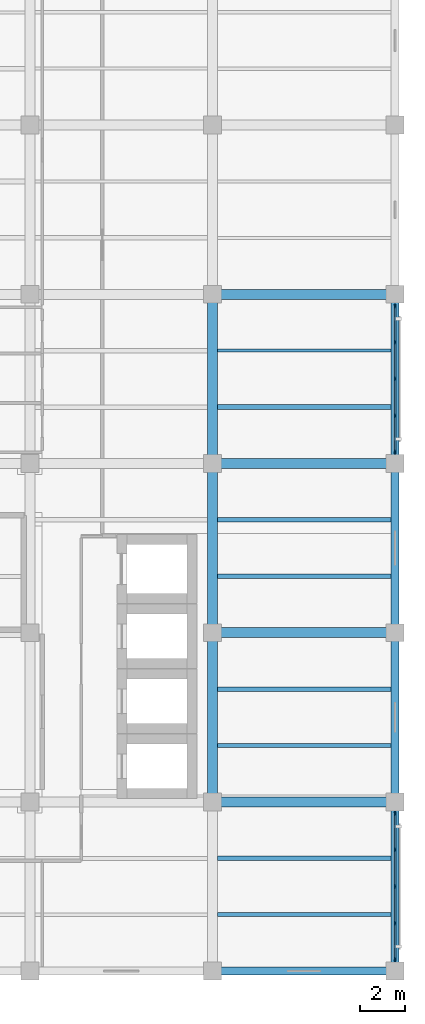
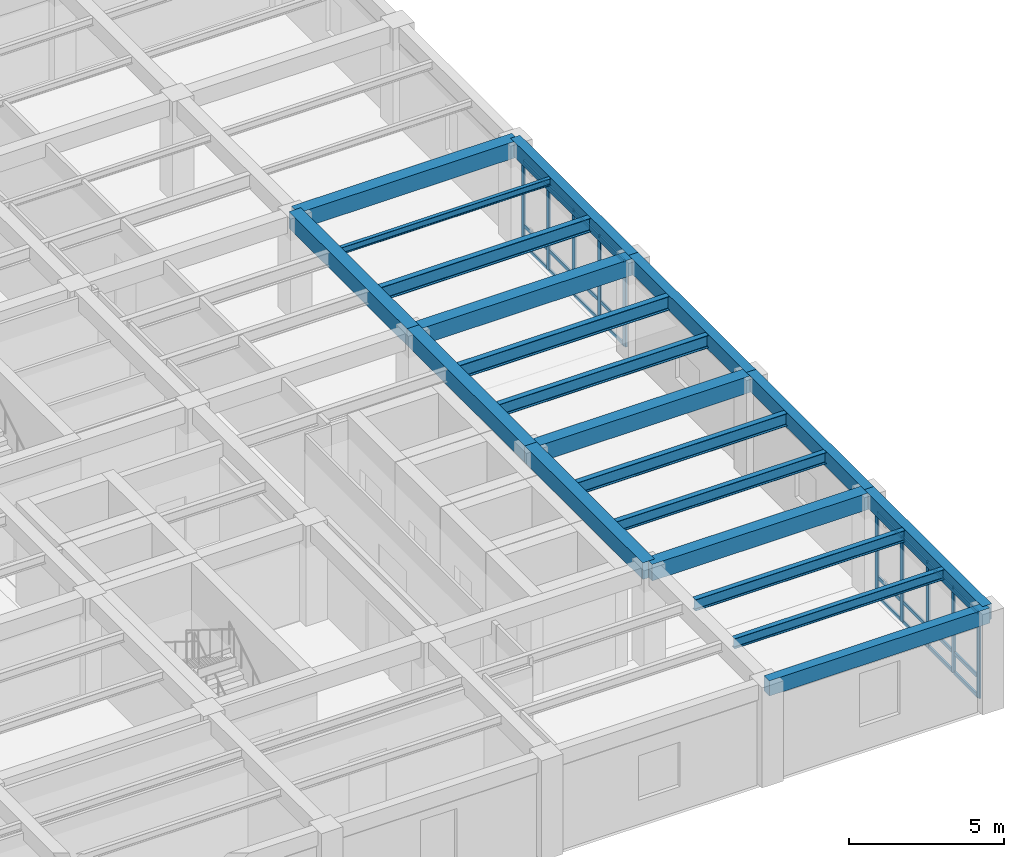
# One storey, part 3 of 14: 34 members, 20 beams, 2 elements without a shape of their own.
"""IFC4 building model written with IfcOpenShell, lengths in metres."""

from ifc_helpers import new_model, si_unit, direction, frame, origin, origin_2d, place, context, subcontext, project, spatial, rectangle, i_section, extrude, material, material_profile, profile_set, type_object, element, aggregate, save


model = new_model("IFC4")

# Units and contexts
model_context = context("Model", 3, precision=1e-05, world=origin(), true_north=direction((0.0, 1.0)))
body_context = subcontext(model_context, "Body", "Model", "MODEL_VIEW")
ifc_project = project(units=[si_unit("LENGTHUNIT", "METRE"), si_unit("AREAUNIT", "SQUARE_METRE"), si_unit("VOLUMEUNIT", "CUBIC_METRE"), si_unit("PLANEANGLEUNIT", "RADIAN"), si_unit("MASSUNIT", "GRAM", prefix="KILO")], contexts=[model_context])

# Site, building, storey
site_placement = place(None, origin())
site = spatial("IfcSite", under=ifc_project, at=site_placement, CompositionType="ELEMENT")
building_placement = place(site_placement, origin())
building = spatial("IfcBuilding", under=site, at=building_placement, Name="Qandaris Square Conservatory and Botanical Centre", CompositionType="ELEMENT")
storey_placement = place(building_placement, frame((0.0, 0.0, 40.800048828125)))
storey = spatial("IfcBuildingStorey", under=building, at=storey_placement, Name="L09", CompositionType="ELEMENT", Elevation=40.800048828125)

# Beams
ifc_material_1 = material(Name="Steel S355", Category="steel")
ifc_material_profile_1 = material_profile(ifc_material_1, i_section(OverallWidth=0.18994140625, OverallDepth=0.449951171875, WebThickness=0.009521484375, FlangeThickness=0.0146484375, FilletRadius=0.02099609375, at=origin_2d()), Name="IPE 450")
ifc_profile_set_1 = profile_set([ifc_material_profile_1], Name="Steel S355")
beam_type_1 = type_object("IfcBeamType", Name="Composite Archive Joist IPE 450", PredefinedType="JOIST", material=ifc_profile_set_1)
for number, where, z_axis, x_axis, name in (
    (1, (155.824951171875, 21.666748046875, 3.704833984375), (1.0, 0.0, 0.0), (0.0, 1.0, 0.0), "L09 Composite Joist 2419"),
    (2, (155.824951171875, 26.7333984375, 3.704833984375), (1.0, 0.0, 0.0), (0.0, 1.0, 0.0), "L09 Composite Joist 2420"),
):
    element("IfcBeam", number, at=place(storey_placement, frame(where, z_axis=z_axis, x_axis=x_axis)), inside=storey, type_object=beam_type_1, Name=name, PredefinedType="JOIST", context=body_context, shape_type="SweptSolid", body=[
        extrude(i_section(OverallWidth=0.18994140625, OverallDepth=0.449951171875, WebThickness=0.009521484375, FlangeThickness=0.0146484375, FilletRadius=0.02099609375, at=origin_2d()), origin(), (0.0, 0.0, 1.0), 7.800048828125),
    ])
ifc_material_profile_2 = material_profile(ifc_material_1, i_section(OverallWidth=0.199951171875, OverallDepth=0.5, WebThickness=0.01025390625, FlangeThickness=0.01611328125, FilletRadius=0.02099609375, at=origin_2d()), Name="IPE 500")
ifc_profile_set_2 = profile_set([ifc_material_profile_2], Name="Steel S355")
beam_type_2 = type_object("IfcBeamType", Name="Composite Gallery Joist IPE 500", PredefinedType="JOIST", material=ifc_profile_set_2)
for number, where, z_axis, x_axis, name in (
    (3, (155.824951171875, 29.2666015625, 3.679931640625), (1.0, 0.0, 0.0), (0.0, 1.0, 0.0), "L09 Composite Joist 2421"),
    (4, (155.824951171875, 34.333251953125, 3.679931640625), (1.0, 0.0, 0.0), (0.0, 1.0, 0.0), "L09 Composite Joist 2422"),
):
    element("IfcBeam", number, at=place(storey_placement, frame(where, z_axis=z_axis, x_axis=x_axis)), inside=storey, type_object=beam_type_2, Name=name, PredefinedType="JOIST", context=body_context, shape_type="SweptSolid", body=[
        extrude(i_section(OverallWidth=0.199951171875, OverallDepth=0.5, WebThickness=0.01025390625, FlangeThickness=0.01611328125, FilletRadius=0.02099609375, at=origin_2d()), origin(), (0.0, 0.0, 1.0), 7.800048828125),
    ])
ifc_material_profile_3 = material_profile(ifc_material_1, i_section(OverallWidth=0.179931640625, OverallDepth=0.39990234375, WebThickness=0.008544921875, FlangeThickness=0.013427734375, FilletRadius=0.02099609375, at=origin_2d()), Name="IPE 400")
ifc_profile_set_3 = profile_set([ifc_material_profile_3], Name="Steel S355")
beam_type_3 = type_object("IfcBeamType", Name="Composite Plinth Joist IPE 400", PredefinedType="JOIST", material=ifc_profile_set_3)
beam_1_placement = place(storey_placement, frame((155.824951171875, 19.13330078125, 3.72998046875), z_axis=(1.0, 0.0, 0.0), x_axis=(0.0, 1.0, 0.0)))
element("IfcBeam", 5, at=beam_1_placement, inside=storey, type_object=beam_type_3, Name="L09 Composite Joist 2418", PredefinedType="JOIST", context=body_context, shape_type="SweptSolid", body=[
    extrude(i_section(OverallWidth=0.179931640625, OverallDepth=0.39990234375, WebThickness=0.008544921875, FlangeThickness=0.013427734375, FilletRadius=0.02099609375, at=origin_2d()), origin(), (0.0, 0.0, 1.0), 7.800048828125),
])

# Curtain wall, members
ifc_material_2 = material(Name="Anodised Aluminium", Category="aluminium")
curtain_wall_type = type_object("IfcCurtainWallType", Name="Unitised Curtain Wall CW-4-660x334", PredefinedType="USERDEFINED", material=ifc_material_2)
curtain_wall_1_placement = place(storey_placement, origin())
curtain_wall_1 = element("IfcCurtainWall", 6, at=curtain_wall_1_placement, inside=storey, type_object=curtain_wall_type, Name="Curtain Wall CW-TWR-L09-2-1", ObjectType="GLAZED CURTAIN WALL", PredefinedType="USERDEFINED")
ifc_material_profile_4 = material_profile(ifc_material_2, rectangle(XDim=0.06494140625, YDim=0.179931640625, at=origin_2d()), Name="ALU-MUL 65x180")
ifc_profile_set_4 = profile_set([ifc_material_profile_4], Name="Anodised Aluminium")
member_type_1 = type_object("IfcMemberType", Name="Curtain Wall Mullion 65x180", PredefinedType="MULLION", material=ifc_profile_set_4)
member_1_placement = place(storey_placement, frame((163.800048828125, 17.132568359375, 0.0), z_axis=(0.0, 0.0, 1.0), x_axis=(-1.0, 0.0, 0.0)))
member_1 = element("IfcMember", 7, at=member_1_placement, type_object=member_type_1, Name="CW-4-660x334 mullion 1", PredefinedType="MULLION", context=body_context, shape_type="SweptSolid", body=[
    extrude(rectangle(XDim=0.06494140625, YDim=0.179931640625, at=origin_2d()), origin(), (0.0, 0.0, 1.0), 3.33984375),
])
member_2_placement = place(storey_placement, frame((163.800048828125, 18.75, 0.0), z_axis=(0.0, 0.0, 1.0), x_axis=(-1.0, 0.0, 0.0)))
member_2 = element("IfcMember", 8, at=member_2_placement, type_object=member_type_1, Name="CW-4-660x334 mullion 2", PredefinedType="MULLION", context=body_context, shape_type="SweptSolid", body=[
    extrude(rectangle(XDim=0.06494140625, YDim=0.179931640625, at=origin_2d()), origin(), (0.0, 0.0, 1.0), 3.33984375),
])
member_3_placement = place(storey_placement, frame((163.800048828125, 20.39990234375, 0.0), z_axis=(0.0, 0.0, 1.0), x_axis=(-1.0, 0.0, 0.0)))
member_3 = element("IfcMember", 9, at=member_3_placement, type_object=member_type_1, Name="CW-4-660x334 mullion 3", PredefinedType="MULLION", context=body_context, shape_type="SweptSolid", body=[
    extrude(rectangle(XDim=0.06494140625, YDim=0.179931640625, at=origin_2d()), origin(), (0.0, 0.0, 1.0), 3.33984375),
])
member_4_placement = place(storey_placement, frame((163.800048828125, 22.050048828125, 0.0), z_axis=(0.0, 0.0, 1.0), x_axis=(-1.0, 0.0, 0.0)))
member_4 = element("IfcMember", 10, at=member_4_placement, type_object=member_type_1, Name="CW-4-660x334 mullion 4", PredefinedType="MULLION", context=body_context, shape_type="SweptSolid", body=[
    extrude(rectangle(XDim=0.06494140625, YDim=0.179931640625, at=origin_2d()), origin(), (0.0, 0.0, 1.0), 3.33984375),
])
member_5_placement = place(storey_placement, frame((163.800048828125, 23.66748046875, 0.0), z_axis=(0.0, 0.0, 1.0), x_axis=(-1.0, 0.0, 0.0)))
member_5 = element("IfcMember", 11, at=member_5_placement, type_object=member_type_1, Name="CW-4-660x334 mullion 5", PredefinedType="MULLION", context=body_context, shape_type="SweptSolid", body=[
    extrude(rectangle(XDim=0.06494140625, YDim=0.179931640625, at=origin_2d()), origin(), (0.0, 0.0, 1.0), 3.33984375),
])

curtain_wall_2_placement = place(storey_placement, origin())
curtain_wall_2 = element("IfcCurtainWall", 12, at=curtain_wall_2_placement, inside=storey, type_object=curtain_wall_type, Name="Curtain Wall CW-TWR-L09-2-4", ObjectType="GLAZED CURTAIN WALL", PredefinedType="USERDEFINED")
member_6_placement = place(storey_placement, frame((163.800048828125, 39.9326171875, 0.0), z_axis=(0.0, 0.0, 1.0), x_axis=(-1.0, 0.0, 0.0)))
member_6 = element("IfcMember", 13, at=member_6_placement, type_object=member_type_1, Name="CW-4-660x334 mullion 1", PredefinedType="MULLION", context=body_context, shape_type="SweptSolid", body=[
    extrude(rectangle(XDim=0.06494140625, YDim=0.179931640625, at=origin_2d()), origin(), (0.0, 0.0, 1.0), 3.33984375),
])
member_7_placement = place(storey_placement, frame((163.800048828125, 41.550048828125, 0.0), z_axis=(0.0, 0.0, 1.0), x_axis=(-1.0, 0.0, 0.0)))
member_7 = element("IfcMember", 14, at=member_7_placement, type_object=member_type_1, Name="CW-4-660x334 mullion 2", PredefinedType="MULLION", context=body_context, shape_type="SweptSolid", body=[
    extrude(rectangle(XDim=0.06494140625, YDim=0.179931640625, at=origin_2d()), origin(), (0.0, 0.0, 1.0), 3.33984375),
])
member_8_placement = place(storey_placement, frame((163.800048828125, 43.199951171875, 0.0), z_axis=(0.0, 0.0, 1.0), x_axis=(-1.0, 0.0, 0.0)))
member_8 = element("IfcMember", 15, at=member_8_placement, type_object=member_type_1, Name="CW-4-660x334 mullion 3", PredefinedType="MULLION", context=body_context, shape_type="SweptSolid", body=[
    extrude(rectangle(XDim=0.06494140625, YDim=0.179931640625, at=origin_2d()), origin(), (0.0, 0.0, 1.0), 3.33984375),
])
member_9_placement = place(storey_placement, frame((163.800048828125, 44.85009765625, 0.0), z_axis=(0.0, 0.0, 1.0), x_axis=(-1.0, 0.0, 0.0)))
member_9 = element("IfcMember", 16, at=member_9_placement, type_object=member_type_1, Name="CW-4-660x334 mullion 4", PredefinedType="MULLION", context=body_context, shape_type="SweptSolid", body=[
    extrude(rectangle(XDim=0.06494140625, YDim=0.179931640625, at=origin_2d()), origin(), (0.0, 0.0, 1.0), 3.33984375),
])
member_10_placement = place(storey_placement, frame((163.800048828125, 46.467529296875, 0.0), z_axis=(0.0, 0.0, 1.0), x_axis=(-1.0, 0.0, 0.0)))
member_10 = element("IfcMember", 17, at=member_10_placement, type_object=member_type_1, Name="CW-4-660x334 mullion 5", PredefinedType="MULLION", context=body_context, shape_type="SweptSolid", body=[
    extrude(rectangle(XDim=0.06494140625, YDim=0.179931640625, at=origin_2d()), origin(), (0.0, 0.0, 1.0), 3.33984375),
])

# Member
ifc_material_profile_5 = material_profile(ifc_material_2, rectangle(XDim=0.06494140625, YDim=0.139892578125, at=origin_2d()), Name="ALU-TRN 65x140")
ifc_profile_set_5 = profile_set([ifc_material_profile_5], Name="Anodised Aluminium")
member_type_2 = type_object("IfcMemberType", Name="Curtain Wall Transom 65x140", PredefinedType="USERDEFINED", material=ifc_profile_set_5)
member_11_placement = place(storey_placement, frame((163.800048828125, 17.1650390625, 0.032470703125), z_axis=(0.0, 1.0, 0.0), x_axis=(-1.0, 0.0, 0.0)))
member_11 = element("IfcMember", 18, at=member_11_placement, type_object=member_type_2, Name="CW-4-660x334 transom 1.1", ObjectType="TRANSOM", PredefinedType="USERDEFINED", context=body_context, shape_type="SweptSolid", body=[
    extrude(rectangle(XDim=0.06494140625, YDim=0.139892578125, at=origin_2d()), origin(), (0.0, 0.0, 1.0), 1.552490234375),
])

member_12_placement = place(storey_placement, frame((163.800048828125, 17.1650390625, 0.801513671875), z_axis=(0.0, 1.0, 0.0), x_axis=(-1.0, 0.0, 0.0)))
member_12 = element("IfcMember", 19, at=member_12_placement, type_object=member_type_2, Name="CW-4-660x334 transom 1.2", ObjectType="TRANSOM", PredefinedType="USERDEFINED", context=body_context, shape_type="SweptSolid", body=[
    extrude(rectangle(XDim=0.06494140625, YDim=0.139892578125, at=origin_2d()), origin(), (0.0, 0.0, 1.0), 1.552490234375),
])

member_13_placement = place(storey_placement, frame((163.800048828125, 17.1650390625, 3.307373046875), z_axis=(0.0, 1.0, 0.0), x_axis=(-1.0, 0.0, 0.0)))
member_13 = element("IfcMember", 20, at=member_13_placement, type_object=member_type_2, Name="CW-4-660x334 transom 1.3", ObjectType="TRANSOM", PredefinedType="USERDEFINED", context=body_context, shape_type="SweptSolid", body=[
    extrude(rectangle(XDim=0.06494140625, YDim=0.139892578125, at=origin_2d()), origin(), (0.0, 0.0, 1.0), 1.552490234375),
])

member_14_placement = place(storey_placement, frame((163.800048828125, 18.782470703125, 0.032470703125), z_axis=(0.0, 1.0, 0.0), x_axis=(-1.0, 0.0, 0.0)))
member_14 = element("IfcMember", 21, at=member_14_placement, type_object=member_type_2, Name="CW-4-660x334 transom 2.1", ObjectType="TRANSOM", PredefinedType="USERDEFINED", context=body_context, shape_type="SweptSolid", body=[
    extrude(rectangle(XDim=0.06494140625, YDim=0.139892578125, at=origin_2d()), origin(), (0.0, 0.0, 1.0), 1.5849609375),
])

member_15_placement = place(storey_placement, frame((163.800048828125, 18.782470703125, 0.801513671875), z_axis=(0.0, 1.0, 0.0), x_axis=(-1.0, 0.0, 0.0)))
member_15 = element("IfcMember", 22, at=member_15_placement, type_object=member_type_2, Name="CW-4-660x334 transom 2.2", ObjectType="TRANSOM", PredefinedType="USERDEFINED", context=body_context, shape_type="SweptSolid", body=[
    extrude(rectangle(XDim=0.06494140625, YDim=0.139892578125, at=origin_2d()), origin(), (0.0, 0.0, 1.0), 1.5849609375),
])

member_16_placement = place(storey_placement, frame((163.800048828125, 18.782470703125, 3.307373046875), z_axis=(0.0, 1.0, 0.0), x_axis=(-1.0, 0.0, 0.0)))
member_16 = element("IfcMember", 23, at=member_16_placement, type_object=member_type_2, Name="CW-4-660x334 transom 2.3", ObjectType="TRANSOM", PredefinedType="USERDEFINED", context=body_context, shape_type="SweptSolid", body=[
    extrude(rectangle(XDim=0.06494140625, YDim=0.139892578125, at=origin_2d()), origin(), (0.0, 0.0, 1.0), 1.5849609375),
])

member_17_placement = place(storey_placement, frame((163.800048828125, 20.4326171875, 0.032470703125), z_axis=(0.0, 1.0, 0.0), x_axis=(-1.0, 0.0, 0.0)))
member_17 = element("IfcMember", 24, at=member_17_placement, type_object=member_type_2, Name="CW-4-660x334 transom 3.1", ObjectType="TRANSOM", PredefinedType="USERDEFINED", context=body_context, shape_type="SweptSolid", body=[
    extrude(rectangle(XDim=0.06494140625, YDim=0.139892578125, at=origin_2d()), origin(), (0.0, 0.0, 1.0), 1.5849609375),
])

member_18_placement = place(storey_placement, frame((163.800048828125, 20.4326171875, 0.801513671875), z_axis=(0.0, 1.0, 0.0), x_axis=(-1.0, 0.0, 0.0)))
member_18 = element("IfcMember", 25, at=member_18_placement, type_object=member_type_2, Name="CW-4-660x334 transom 3.2", ObjectType="TRANSOM", PredefinedType="USERDEFINED", context=body_context, shape_type="SweptSolid", body=[
    extrude(rectangle(XDim=0.06494140625, YDim=0.139892578125, at=origin_2d()), origin(), (0.0, 0.0, 1.0), 1.5849609375),
])

member_19_placement = place(storey_placement, frame((163.800048828125, 20.4326171875, 3.307373046875), z_axis=(0.0, 1.0, 0.0), x_axis=(-1.0, 0.0, 0.0)))
member_19 = element("IfcMember", 26, at=member_19_placement, type_object=member_type_2, Name="CW-4-660x334 transom 3.3", ObjectType="TRANSOM", PredefinedType="USERDEFINED", context=body_context, shape_type="SweptSolid", body=[
    extrude(rectangle(XDim=0.06494140625, YDim=0.139892578125, at=origin_2d()), origin(), (0.0, 0.0, 1.0), 1.5849609375),
])

member_20_placement = place(storey_placement, frame((163.800048828125, 22.08251953125, 0.032470703125), z_axis=(0.0, 1.0, 0.0), x_axis=(-1.0, 0.0, 0.0)))
member_20 = element("IfcMember", 27, at=member_20_placement, type_object=member_type_2, Name="CW-4-660x334 transom 4.1", ObjectType="TRANSOM", PredefinedType="USERDEFINED", context=body_context, shape_type="SweptSolid", body=[
    extrude(rectangle(XDim=0.06494140625, YDim=0.139892578125, at=origin_2d()), origin(), (0.0, 0.0, 1.0), 1.552490234375),
])

member_21_placement = place(storey_placement, frame((163.800048828125, 22.08251953125, 0.801513671875), z_axis=(0.0, 1.0, 0.0), x_axis=(-1.0, 0.0, 0.0)))
member_21 = element("IfcMember", 28, at=member_21_placement, type_object=member_type_2, Name="CW-4-660x334 transom 4.2", ObjectType="TRANSOM", PredefinedType="USERDEFINED", context=body_context, shape_type="SweptSolid", body=[
    extrude(rectangle(XDim=0.06494140625, YDim=0.139892578125, at=origin_2d()), origin(), (0.0, 0.0, 1.0), 1.552490234375),
])

member_22_placement = place(storey_placement, frame((163.800048828125, 22.08251953125, 3.307373046875), z_axis=(0.0, 1.0, 0.0), x_axis=(-1.0, 0.0, 0.0)))
member_22 = element("IfcMember", 29, at=member_22_placement, type_object=member_type_2, Name="CW-4-660x334 transom 4.3", ObjectType="TRANSOM", PredefinedType="USERDEFINED", context=body_context, shape_type="SweptSolid", body=[
    extrude(rectangle(XDim=0.06494140625, YDim=0.139892578125, at=origin_2d()), origin(), (0.0, 0.0, 1.0), 1.552490234375),
])

aggregate(curtain_wall_1, [member_1, member_2, member_3, member_4, member_5, member_11, member_12, member_13, member_14, member_15, member_16, member_17, member_18, member_19, member_20, member_21, member_22])

member_23_placement = place(storey_placement, frame((163.800048828125, 39.965087890625, 0.032470703125), z_axis=(0.0, 1.0, 0.0), x_axis=(-1.0, 0.0, 0.0)))
member_23 = element("IfcMember", 30, at=member_23_placement, type_object=member_type_2, Name="CW-4-660x334 transom 1.1", ObjectType="TRANSOM", PredefinedType="USERDEFINED", context=body_context, shape_type="SweptSolid", body=[
    extrude(rectangle(XDim=0.06494140625, YDim=0.139892578125, at=origin_2d()), origin(), (0.0, 0.0, 1.0), 1.552490234375),
])

member_24_placement = place(storey_placement, frame((163.800048828125, 39.965087890625, 0.801513671875), z_axis=(0.0, 1.0, 0.0), x_axis=(-1.0, 0.0, 0.0)))
member_24 = element("IfcMember", 31, at=member_24_placement, type_object=member_type_2, Name="CW-4-660x334 transom 1.2", ObjectType="TRANSOM", PredefinedType="USERDEFINED", context=body_context, shape_type="SweptSolid", body=[
    extrude(rectangle(XDim=0.06494140625, YDim=0.139892578125, at=origin_2d()), origin(), (0.0, 0.0, 1.0), 1.552490234375),
])

member_25_placement = place(storey_placement, frame((163.800048828125, 39.965087890625, 3.307373046875), z_axis=(0.0, 1.0, 0.0), x_axis=(-1.0, 0.0, 0.0)))
member_25 = element("IfcMember", 32, at=member_25_placement, type_object=member_type_2, Name="CW-4-660x334 transom 1.3", ObjectType="TRANSOM", PredefinedType="USERDEFINED", context=body_context, shape_type="SweptSolid", body=[
    extrude(rectangle(XDim=0.06494140625, YDim=0.139892578125, at=origin_2d()), origin(), (0.0, 0.0, 1.0), 1.552490234375),
])

member_26_placement = place(storey_placement, frame((163.800048828125, 41.58251953125, 0.032470703125), z_axis=(0.0, 1.0, 0.0), x_axis=(-1.0, 0.0, 0.0)))
member_26 = element("IfcMember", 33, at=member_26_placement, type_object=member_type_2, Name="CW-4-660x334 transom 2.1", ObjectType="TRANSOM", PredefinedType="USERDEFINED", context=body_context, shape_type="SweptSolid", body=[
    extrude(rectangle(XDim=0.06494140625, YDim=0.139892578125, at=origin_2d()), origin(), (0.0, 0.0, 1.0), 1.5849609375),
])

member_27_placement = place(storey_placement, frame((163.800048828125, 41.58251953125, 0.801513671875), z_axis=(0.0, 1.0, 0.0), x_axis=(-1.0, 0.0, 0.0)))
member_27 = element("IfcMember", 34, at=member_27_placement, type_object=member_type_2, Name="CW-4-660x334 transom 2.2", ObjectType="TRANSOM", PredefinedType="USERDEFINED", context=body_context, shape_type="SweptSolid", body=[
    extrude(rectangle(XDim=0.06494140625, YDim=0.139892578125, at=origin_2d()), origin(), (0.0, 0.0, 1.0), 1.5849609375),
])

member_28_placement = place(storey_placement, frame((163.800048828125, 41.58251953125, 3.307373046875), z_axis=(0.0, 1.0, 0.0), x_axis=(-1.0, 0.0, 0.0)))
member_28 = element("IfcMember", 35, at=member_28_placement, type_object=member_type_2, Name="CW-4-660x334 transom 2.3", ObjectType="TRANSOM", PredefinedType="USERDEFINED", context=body_context, shape_type="SweptSolid", body=[
    extrude(rectangle(XDim=0.06494140625, YDim=0.139892578125, at=origin_2d()), origin(), (0.0, 0.0, 1.0), 1.5849609375),
])

member_29_placement = place(storey_placement, frame((163.800048828125, 43.232421875, 0.032470703125), z_axis=(0.0, 1.0, 0.0), x_axis=(-1.0, 0.0, 0.0)))
member_29 = element("IfcMember", 36, at=member_29_placement, type_object=member_type_2, Name="CW-4-660x334 transom 3.1", ObjectType="TRANSOM", PredefinedType="USERDEFINED", context=body_context, shape_type="SweptSolid", body=[
    extrude(rectangle(XDim=0.06494140625, YDim=0.139892578125, at=origin_2d()), origin(), (0.0, 0.0, 1.0), 1.5849609375),
])

member_30_placement = place(storey_placement, frame((163.800048828125, 43.232421875, 0.801513671875), z_axis=(0.0, 1.0, 0.0), x_axis=(-1.0, 0.0, 0.0)))
member_30 = element("IfcMember", 37, at=member_30_placement, type_object=member_type_2, Name="CW-4-660x334 transom 3.2", ObjectType="TRANSOM", PredefinedType="USERDEFINED", context=body_context, shape_type="SweptSolid", body=[
    extrude(rectangle(XDim=0.06494140625, YDim=0.139892578125, at=origin_2d()), origin(), (0.0, 0.0, 1.0), 1.5849609375),
])

member_31_placement = place(storey_placement, frame((163.800048828125, 43.232421875, 3.307373046875), z_axis=(0.0, 1.0, 0.0), x_axis=(-1.0, 0.0, 0.0)))
member_31 = element("IfcMember", 38, at=member_31_placement, type_object=member_type_2, Name="CW-4-660x334 transom 3.3", ObjectType="TRANSOM", PredefinedType="USERDEFINED", context=body_context, shape_type="SweptSolid", body=[
    extrude(rectangle(XDim=0.06494140625, YDim=0.139892578125, at=origin_2d()), origin(), (0.0, 0.0, 1.0), 1.5849609375),
])

member_32_placement = place(storey_placement, frame((163.800048828125, 44.882568359375, 0.032470703125), z_axis=(0.0, 1.0, 0.0), x_axis=(-1.0, 0.0, 0.0)))
member_32 = element("IfcMember", 39, at=member_32_placement, type_object=member_type_2, Name="CW-4-660x334 transom 4.1", ObjectType="TRANSOM", PredefinedType="USERDEFINED", context=body_context, shape_type="SweptSolid", body=[
    extrude(rectangle(XDim=0.06494140625, YDim=0.139892578125, at=origin_2d()), origin(), (0.0, 0.0, 1.0), 1.552490234375),
])

member_33_placement = place(storey_placement, frame((163.800048828125, 44.882568359375, 0.801513671875), z_axis=(0.0, 1.0, 0.0), x_axis=(-1.0, 0.0, 0.0)))
member_33 = element("IfcMember", 40, at=member_33_placement, type_object=member_type_2, Name="CW-4-660x334 transom 4.2", ObjectType="TRANSOM", PredefinedType="USERDEFINED", context=body_context, shape_type="SweptSolid", body=[
    extrude(rectangle(XDim=0.06494140625, YDim=0.139892578125, at=origin_2d()), origin(), (0.0, 0.0, 1.0), 1.552490234375),
])

member_34_placement = place(storey_placement, frame((163.800048828125, 44.882568359375, 3.307373046875), z_axis=(0.0, 1.0, 0.0), x_axis=(-1.0, 0.0, 0.0)))
member_34 = element("IfcMember", 41, at=member_34_placement, type_object=member_type_2, Name="CW-4-660x334 transom 4.3", ObjectType="TRANSOM", PredefinedType="USERDEFINED", context=body_context, shape_type="SweptSolid", body=[
    extrude(rectangle(XDim=0.06494140625, YDim=0.139892578125, at=origin_2d()), origin(), (0.0, 0.0, 1.0), 1.552490234375),
])

aggregate(curtain_wall_2, [member_6, member_7, member_8, member_9, member_10, member_23, member_24, member_25, member_26, member_27, member_28, member_29, member_30, member_31, member_32, member_33, member_34])

# Beams
ifc_material_profile_6 = material_profile(ifc_material_1, i_section(OverallWidth=0.2099609375, OverallDepth=0.550048828125, WebThickness=0.010986328125, FlangeThickness=0.01708984375, FilletRadius=0.02392578125, at=origin_2d()), Name="IPE 550")
ifc_profile_set_6 = profile_set([ifc_material_profile_6], Name="Steel S355")
beam_type_4 = type_object("IfcBeamType", Name="Long-Span Foyer Joist IPE 550", PredefinedType="JOIST", material=ifc_profile_set_6)
for number, where, z_axis, x_axis, name in (
    (42, (155.824951171875, 36.86669921875, 3.655029296875), (1.0, 0.0, 0.0), (0.0, 1.0, 0.0), "L09 Composite Joist 2423"),
    (43, (155.824951171875, 41.933349609375, 3.655029296875), (1.0, 0.0, 0.0), (0.0, 1.0, 0.0), "L09 Composite Joist 2424"),
):
    element("IfcBeam", number, at=place(storey_placement, frame(where, z_axis=z_axis, x_axis=x_axis)), inside=storey, type_object=beam_type_4, Name=name, PredefinedType="JOIST", context=body_context, shape_type="SweptSolid", body=[
        extrude(i_section(OverallWidth=0.2099609375, OverallDepth=0.550048828125, WebThickness=0.010986328125, FlangeThickness=0.01708984375, FilletRadius=0.02392578125, at=origin_2d()), origin(), (0.0, 0.0, 1.0), 7.800048828125),
    ])
ifc_material_3 = material(Name="Concrete C50/60", Category="concrete")
ifc_material_profile_7 = material_profile(ifc_material_3, rectangle(XDim=0.35009765625, YDim=0.60009765625, at=origin_2d()), Name="RC-SP 350x600")
ifc_profile_set_7 = profile_set([ifc_material_profile_7], Name="Concrete C50/60")
beam_type_5 = type_object("IfcBeamType", Name="RC Edge Spandrel Beam 350x600", PredefinedType="SPANDREL", material=ifc_profile_set_7)
beam_2_placement = place(storey_placement, frame((155.60009765625, 16.60009765625, 3.639892578125), z_axis=(1.0, 0.0, 0.0), x_axis=(0.0, 1.0, 0.0)))
element("IfcBeam", 44, at=beam_2_placement, inside=storey, type_object=beam_type_5, Name="L09 Frame Beam 2325", PredefinedType="SPANDREL", context=body_context, shape_type="SweptSolid", body=[
    extrude(rectangle(XDim=0.35009765625, YDim=0.60009765625, at=origin_2d()), origin(), (0.0, 0.0, 1.0), 8.199951171875),
])
beam_3_placement = place(storey_placement, frame((163.800048828125, 16.60009765625, 3.639892578125), z_axis=(0.0, 1.0, 0.0), x_axis=(-1.0, 0.0, 0.0)))
element("IfcBeam", 45, at=beam_3_placement, inside=storey, type_object=beam_type_5, Name="L09 Frame Beam 2379", PredefinedType="SPANDREL", context=body_context, shape_type="SweptSolid", body=[
    extrude(rectangle(XDim=0.35009765625, YDim=0.60009765625, at=origin_2d()), origin(), (0.0, 0.0, 1.0), 7.599853515625),
])
beam_4_placement = place(storey_placement, frame((163.800048828125, 24.199951171875, 3.639892578125), z_axis=(0.0, 1.0, 0.0), x_axis=(-1.0, 0.0, 0.0)))
element("IfcBeam", 46, at=beam_4_placement, inside=storey, type_object=beam_type_5, Name="L09 Frame Beam 2380", PredefinedType="SPANDREL", context=body_context, shape_type="SweptSolid", body=[
    extrude(rectangle(XDim=0.35009765625, YDim=0.60009765625, at=origin_2d()), origin(), (0.0, 0.0, 1.0), 7.60009765625),
])
beam_5_placement = place(storey_placement, frame((163.800048828125, 31.800048828125, 3.639892578125), z_axis=(0.0, 1.0, 0.0), x_axis=(-1.0, 0.0, 0.0)))
element("IfcBeam", 47, at=beam_5_placement, inside=storey, type_object=beam_type_5, Name="L09 Frame Beam 2381", PredefinedType="SPANDREL", context=body_context, shape_type="SweptSolid", body=[
    extrude(rectangle(XDim=0.35009765625, YDim=0.60009765625, at=origin_2d()), origin(), (0.0, 0.0, 1.0), 7.599853515625),
])
beam_6_placement = place(storey_placement, frame((163.800048828125, 39.39990234375, 3.639892578125), z_axis=(0.0, 1.0, 0.0), x_axis=(-1.0, 0.0, 0.0)))
element("IfcBeam", 48, at=beam_6_placement, inside=storey, type_object=beam_type_5, Name="L09 Frame Beam 2382", PredefinedType="SPANDREL", context=body_context, shape_type="SweptSolid", body=[
    extrude(rectangle(XDim=0.35009765625, YDim=0.60009765625, at=origin_2d()), origin(), (0.0, 0.0, 1.0), 7.60009765625),
])
ifc_material_profile_8 = material_profile(ifc_material_3, rectangle(XDim=0.449951171875, YDim=0.64990234375, at=origin_2d()), Name="RC-BM 450x650")
ifc_profile_set_8 = profile_set([ifc_material_profile_8], Name="Concrete C50/60")
beam_type_6 = type_object("IfcBeamType", Name="RC Floor Girder 450x650", PredefinedType="BEAM", material=ifc_profile_set_8)
for number, where, z_axis, x_axis, name in (
    (49, (155.60009765625, 24.199951171875, 3.614990234375), (1.0, 0.0, 0.0), (0.0, 1.0, 0.0), "L09 Frame Beam 2330"),
    (50, (155.60009765625, 31.800048828125, 3.614990234375), (1.0, 0.0, 0.0), (0.0, 1.0, 0.0), "L09 Frame Beam 2334"),
    (51, (155.60009765625, 39.39990234375, 3.614990234375), (1.0, 0.0, 0.0), (0.0, 1.0, 0.0), "L09 Frame Beam 2339"),
    (52, (155.60009765625, 47.0, 3.614990234375), (1.0, 0.0, 0.0), (0.0, 1.0, 0.0), "L09 Frame Beam 2342"),
):
    element("IfcBeam", number, at=place(storey_placement, frame(where, z_axis=z_axis, x_axis=x_axis)), inside=storey, type_object=beam_type_6, Name=name, PredefinedType="BEAM", context=body_context, shape_type="SweptSolid", body=[
        extrude(rectangle(XDim=0.449951171875, YDim=0.64990234375, at=origin_2d()), origin(), (0.0, 0.0, 1.0), 8.199951171875),
    ])
beam_7_placement = place(storey_placement, frame((155.60009765625, 24.199951171875, 3.614990234375), z_axis=(0.0, 1.0, 0.0), x_axis=(-1.0, 0.0, 0.0)))
element("IfcBeam", 53, at=beam_7_placement, inside=storey, type_object=beam_type_6, Name="L09 Frame Beam 2373", PredefinedType="BEAM", context=body_context, shape_type="SweptSolid", body=[
    extrude(rectangle(XDim=0.449951171875, YDim=0.64990234375, at=origin_2d()), origin(), (0.0, 0.0, 1.0), 7.60009765625),
])
beam_8_placement = place(storey_placement, frame((155.60009765625, 31.800048828125, 3.614990234375), z_axis=(0.0, 1.0, 0.0), x_axis=(-1.0, 0.0, 0.0)))
element("IfcBeam", 54, at=beam_8_placement, inside=storey, type_object=beam_type_6, Name="L09 Frame Beam 2374", PredefinedType="BEAM", context=body_context, shape_type="SweptSolid", body=[
    extrude(rectangle(XDim=0.449951171875, YDim=0.64990234375, at=origin_2d()), origin(), (0.0, 0.0, 1.0), 7.599853515625),
])
beam_9_placement = place(storey_placement, frame((155.60009765625, 39.39990234375, 3.614990234375), z_axis=(0.0, 1.0, 0.0), x_axis=(-1.0, 0.0, 0.0)))
element("IfcBeam", 55, at=beam_9_placement, inside=storey, type_object=beam_type_6, Name="L09 Frame Beam 2375", PredefinedType="BEAM", context=body_context, shape_type="SweptSolid", body=[
    extrude(rectangle(XDim=0.449951171875, YDim=0.64990234375, at=origin_2d()), origin(), (0.0, 0.0, 1.0), 7.60009765625),
])
ifc_material_profile_9 = material_profile(ifc_material_1, i_section(OverallWidth=0.135009765625, OverallDepth=0.27001953125, WebThickness=0.006591796875, FlangeThickness=0.01025390625, FilletRadius=0.014892578125, at=origin_2d()), Name="IPE 270")
ifc_profile_set_9 = profile_set([ifc_material_profile_9], Name="Steel S355")
beam_type_7 = type_object("IfcBeamType", Name="Steel Floor Joist IPE 270", PredefinedType="JOIST", material=ifc_profile_set_9)
beam_10_placement = place(storey_placement, frame((155.824951171875, 44.466796875, 3.794921875), z_axis=(1.0, 0.0, 0.0), x_axis=(0.0, 1.0, 0.0)))
element("IfcBeam", 56, at=beam_10_placement, inside=storey, type_object=beam_type_7, Name="L09 Composite Joist 2425", PredefinedType="JOIST", context=body_context, shape_type="SweptSolid", body=[
    extrude(i_section(OverallWidth=0.135009765625, OverallDepth=0.27001953125, WebThickness=0.006591796875, FlangeThickness=0.01025390625, FilletRadius=0.014892578125, at=origin_2d()), origin(), (0.0, 0.0, 1.0), 7.800048828125),
])

save(model, "model.ifc")
